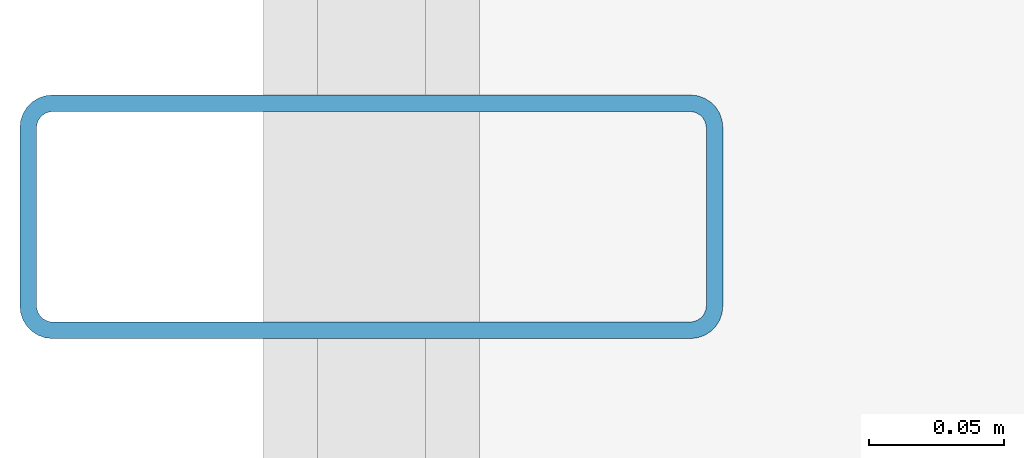
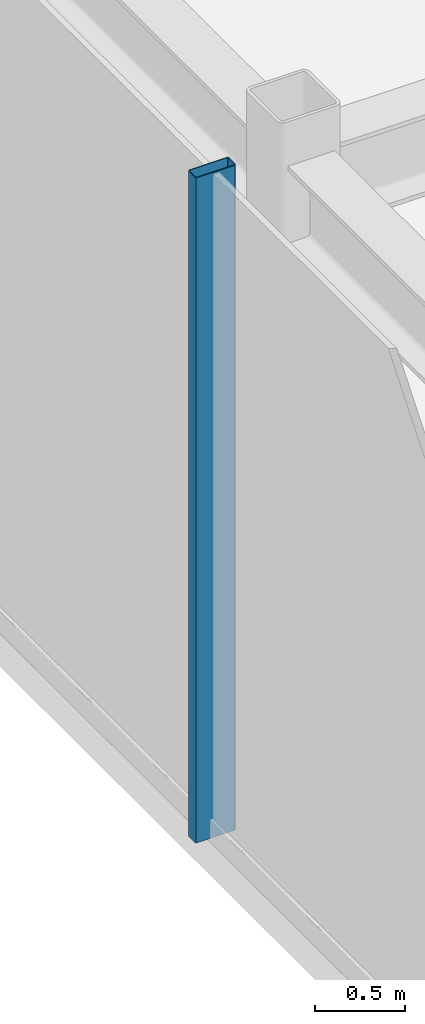
# One storey, part 4 of 17: 1 member, 1 element without a shape of its own.
"""IFC4 building model written with IfcOpenShell, lengths in metres."""

import ifcopenshell
import ifcopenshell.guid

model = None  # the IFC model being written
_history = None  # IfcOwnerHistory: only IFC2X3 demands one
_inside = {}  # id of a spatial element -> (the spatial element, [elements in it])
_under = {}  # id of a project, library or spatial element -> (it, [spatial elements below it])
_declared = {}  # id of a project -> (the project, [libraries it declares])
_typed = {}  # id of a type object -> (the type object, [elements of that type])
_made_of = {}  # id of a material, layer set ... -> (it, [elements and type objects made of it])


def new_model(schema):
    """Start an empty IFC model of exactly this schema.

    Asked for "IFC4X3", IfcOpenShell would pick the latest addendum, in which some entities
    have other attributes; the version numbers below select the first issue.
    IFC2X3 requires an IfcOwnerHistory on every rooted entity: one is made here for all.
    """
    global model, _history
    if schema == "IFC4X3":
        model = ifcopenshell.file(schema_version=(4, 3, 0, 0))
    else:
        model = ifcopenshell.file(schema=schema)
    _inside.clear()
    _under.clear()
    _declared.clear()
    _typed.clear()
    _made_of.clear()
    _history = None
    if model.schema == "IFC2X3":
        org = make("IfcOrganization", Name="unknown")
        user = make(
            "IfcPersonAndOrganization",
            ThePerson=make("IfcPerson", FamilyName="unknown"),
            TheOrganization=org,
        )
        app = make(
            "IfcApplication",
            ApplicationDeveloper=org,
            Version="unknown",
            ApplicationFullName="unknown",
            ApplicationIdentifier="unknown",
        )
        _history = make(
            "IfcOwnerHistory",
            OwningUser=user,
            OwningApplication=app,
            ChangeAction="ADDED",
            CreationDate=0,
        )
    return model


def make(cls, **values):
    """One entity of the class cls with the attributes given. An attribute that is None is left unset."""
    return model.create_entity(
        cls, **{name: value for name, value in values.items() if value is not None}
    )


def rooted(cls, **values):
    """An entity with a GlobalId (a new one), such as an element, a storey or a relation."""
    return make(cls, GlobalId=ifcopenshell.guid.new(), OwnerHistory=_history, **values)


def si_unit(unit_type, name, prefix=None):
    """IfcSIUnit, for example si_unit("LENGTHUNIT", "METRE", prefix="MILLI")."""
    return make("IfcSIUnit", UnitType=unit_type, Prefix=prefix, Name=name)


def assignment(units):
    """IfcUnitAssignment: the units of a project."""
    return None if units is None else make("IfcUnitAssignment", Units=units)


def point(xyz):
    """IfcCartesianPoint."""
    return None if xyz is None else make("IfcCartesianPoint", Coordinates=xyz)


def direction(xyz):
    """IfcDirection."""
    return None if xyz is None else make("IfcDirection", DirectionRatios=xyz)


def frame(location, z_axis=None, x_axis=None):
    """IfcAxis2Placement3D, a coordinate frame: its origin and axes. An axis left out is left unset."""
    return make(
        "IfcAxis2Placement3D",
        Location=point(location),
        Axis=direction(z_axis),
        RefDirection=direction(x_axis),
    )


def frame_2d(location, x_axis=None):
    """IfcAxis2Placement2D, a coordinate frame in the plane: its origin and x axis."""
    return make(
        "IfcAxis2Placement2D", Location=point(location), RefDirection=direction(x_axis)
    )


def origin():
    """The frame at (0, 0, 0) with its axes left unset."""
    return frame((0.0, 0.0, 0.0))


def origin_2d():
    """The frame at (0, 0) in the plane with its x axis left unset."""
    return frame_2d((0.0, 0.0))


def place(relative_to, where):
    """IfcLocalPlacement: puts the frame where relative to a parent placement (None: the world)."""
    return make(
        "IfcLocalPlacement", PlacementRelTo=relative_to, RelativePlacement=where
    )


def context(
    kind, dimensions, precision=None, world=None, true_north=None, identifier=None
):
    """IfcGeometricRepresentationContext, for example the 3D "Model" context."""
    return make(
        "IfcGeometricRepresentationContext",
        ContextIdentifier=identifier,
        ContextType=kind,
        CoordinateSpaceDimension=dimensions,
        Precision=precision,
        WorldCoordinateSystem=world,
        TrueNorth=true_north,
    )


def subcontext(parent, identifier, kind, view, scale=None):
    """IfcGeometricRepresentationSubContext, for example "Body" below "Model"."""
    return make(
        "IfcGeometricRepresentationSubContext",
        ContextIdentifier=identifier,
        ContextType=kind,
        ParentContext=parent,
        TargetScale=scale,
        TargetView=view,
    )


def project(units=None, contexts=None):
    """IfcProject with its units and contexts."""
    return rooted(
        "IfcProject",
        Name="project",
        RepresentationContexts=contexts,
        UnitsInContext=assignment(units),
    )


def spatial(cls, under=None, at=None, **own):
    """A site, building, storey or space (cls), placed at a placement, below another one or the project."""
    s = rooted(cls, ObjectPlacement=at, **own)
    if under is not None:
        _under.setdefault(under.id(), (under, []))[1].append(s)
    return s


def profile(cls, at=None, kind="AREA", **sizes):
    """A parametric profile (cls). Its sizes go by their IFC names, for example OverallWidth=200.0."""
    return make(cls, ProfileType=kind, Position=at, **sizes)


def hollow_rectangle(**sizes):
    """IfcRectangleHollowProfileDef."""
    return profile("IfcRectangleHollowProfileDef", **sizes)


def extrude(swept, where, along, depth):
    """IfcExtrudedAreaSolid: the profile swept, set in the frame where, extruded along a direction by depth."""
    return make(
        "IfcExtrudedAreaSolid",
        SweptArea=swept,
        Position=where,
        ExtrudedDirection=direction(along),
        Depth=depth,
    )


def shape(context_of_items, identifier, shape_type, items):
    """IfcShapeRepresentation: the items that make up one representation, for example the "Body"."""
    return make(
        "IfcShapeRepresentation",
        ContextOfItems=context_of_items,
        RepresentationIdentifier=identifier,
        RepresentationType=shape_type,
        Items=items,
    )


def source(mapping_origin, context_of_items, identifier, shape_type, items):
    """IfcRepresentationMap: a shape defined once, which mapped items show again and again."""
    return make(
        "IfcRepresentationMap",
        MappingOrigin=mapping_origin,
        MappedRepresentation=shape(context_of_items, identifier, shape_type, items),
    )


def transform(
    local_origin,
    x_axis=None,
    y_axis=None,
    z_axis=None,
    scale=None,
    scale2=None,
    scale3=None,
    uniform=True,
):
    """IfcCartesianTransformationOperator3D, or its non-uniform kind. x_axis, y_axis, z_axis: its Axis1, 2, 3."""
    if uniform:
        return make(
            "IfcCartesianTransformationOperator3D",
            Axis1=direction(x_axis),
            Axis2=direction(y_axis),
            LocalOrigin=point(local_origin),
            Scale=scale,
            Axis3=direction(z_axis),
        )
    return make(
        "IfcCartesianTransformationOperator3DnonUniform",
        Axis1=direction(x_axis),
        Axis2=direction(y_axis),
        LocalOrigin=point(local_origin),
        Scale=scale,
        Axis3=direction(z_axis),
        Scale2=scale2,
        Scale3=scale3,
    )


def mapped(mapping_source, mapping_target):
    """IfcMappedItem: shows the shape of a source again, moved by a transform."""
    return make(
        "IfcMappedItem", MappingSource=mapping_source, MappingTarget=mapping_target
    )


def material(Name=None, Category=None):
    """IfcMaterial."""
    return make("IfcMaterial", Name=Name, Category=Category)


def layer(
    of_material, thickness, ventilated=None, Name=None, Category=None, Priority=None
):
    """IfcMaterialLayer: one layer of a wall or slab, of a material (None: an air gap)."""
    return make(
        "IfcMaterialLayer",
        Material=of_material,
        LayerThickness=thickness,
        IsVentilated=ventilated,
        Name=Name,
        Category=Category,
        Priority=Priority,
    )


def layer_set(layers, Name=None):
    """IfcMaterialLayerSet."""
    return make("IfcMaterialLayerSet", MaterialLayers=layers, LayerSetName=Name)


def material_profile(
    of_material, cross_section, Name=None, Category=None, Priority=None
):
    """IfcMaterialProfile: a cross section and its material."""
    return make(
        "IfcMaterialProfile",
        Name=Name,
        Material=of_material,
        Profile=cross_section,
        Priority=Priority,
        Category=Category,
    )


def profile_set(profiles, Name=None, composite=None):
    """IfcMaterialProfileSet."""
    return make(
        "IfcMaterialProfileSet",
        Name=Name,
        MaterialProfiles=profiles,
        CompositeProfile=composite,
    )


def made_of(thing, what):
    """Note that an element or type object is made of a material, layer set ...; save() writes the relation."""
    if what is not None:
        _made_of.setdefault(what.id(), (what, []))[1].append(thing)
    return thing


def type_object(cls, material=None, **own):
    """A type object (cls), such as IfcWallType, which elements share."""
    return made_of(rooted(cls, **own), material)


def element(
    cls,
    number,
    at=None,
    inside=None,
    cuts=None,
    type_object=None,
    material=None,
    context=None,
    identifier="Body",
    shape_type=None,
    held_by="IfcProductDefinitionShape",
    body=None,
    shapes=None,
    **own,
):
    """One element of the class cls, such as IfcWall. Its Tag is "e" and its number.

    at: its placement. inside: the storey or other place that contains it. cuts: it is an
    opening in that element (IfcRelVoidsElement). A single representation is given by context,
    identifier, shape_type and body (its items); several are given by shapes. held_by: the class
    of the entity that holds the representations. save() writes the other relations.
    """
    e = rooted(cls, Tag="e%d" % number, ObjectPlacement=at, **own)
    if body is not None:
        shapes = [shape(context, identifier, shape_type, body)]
    if shapes is not None:
        e.Representation = make(held_by, Representations=shapes)
    if inside is not None:
        _inside.setdefault(inside.id(), (inside, []))[1].append(e)
    if cuts is not None:
        rooted(
            "IfcRelVoidsElement", RelatingBuildingElement=cuts, RelatedOpeningElement=e
        )
    if type_object is not None:
        _typed.setdefault(type_object.id(), (type_object, []))[1].append(e)
    return made_of(e, material)


def aggregate(whole, parts):
    """IfcRelAggregates: a whole, such as a stair, and the parts it consists of."""
    return rooted("IfcRelAggregates", RelatingObject=whole, RelatedObjects=parts)


def save(model, path):
    """Write the relations noted so far, then the file.

    IfcRelAggregates (storeys below a building ...), IfcRelContainedInSpatialStructure (elements
    in a storey), IfcRelDefinesByType, IfcRelAssociatesMaterial and IfcRelDeclares: one each for
    every whole, place, type object, material and project.
    """
    for whole, parts in _under.values():
        aggregate(whole, parts)
    for where, things in _inside.values():
        rooted(
            "IfcRelContainedInSpatialStructure",
            RelatedElements=things,
            RelatingStructure=where,
        )
    for kind, things in _typed.values():
        rooted("IfcRelDefinesByType", RelatedObjects=things, RelatingType=kind)
    for what, things in _made_of.values():
        rooted("IfcRelAssociatesMaterial", RelatedObjects=things, RelatingMaterial=what)
    for by, libraries in _declared.values():
        rooted("IfcRelDeclares", RelatingContext=by, RelatedDefinitions=libraries)
    model.write(path)


model = new_model("IFC4")

# Units and contexts
model_context = context("Model", 3, precision=1e-05, world=origin(), true_north=direction((0.0, 1.0)))
body_context = subcontext(model_context, "Body", "Model", "MODEL_VIEW")
ifc_project = project(units=[si_unit("LENGTHUNIT", "METRE"), si_unit("AREAUNIT", "SQUARE_METRE"), si_unit("VOLUMEUNIT", "CUBIC_METRE"), si_unit("PLANEANGLEUNIT", "RADIAN"), si_unit("MASSUNIT", "GRAM", prefix="KILO")], contexts=[model_context])

# Site, building, storey
site_placement = place(None, origin())
site = spatial("IfcSite", under=ifc_project, at=site_placement, CompositionType="ELEMENT")
building_placement = place(site_placement, origin())
building = spatial("IfcBuilding", under=site, at=building_placement, Name="Nefas-Gora Pilgrimage Tower", CompositionType="ELEMENT")
storey_placement = place(building_placement, frame((0.0, 0.0, 349.0)))
storey = spatial("IfcBuildingStorey", under=building, at=storey_placement, Name="L88", CompositionType="ELEMENT", Elevation=349.0)

# Curtain wall, member
ifc_material_1 = material(Name="Dark ceramic-fritted solar-control aluminium-glass curtain wall", Category="aluminium")
ifc_layer = layer(ifc_material_1, 0.219970703125)
ifc_layer_set = layer_set([ifc_layer], Name="Dark ceramic-fritted solar-control aluminium-glass curtain wall")
curtain_wall_type = type_object("IfcCurtainWallType", Name="CW-SYS-6", PredefinedType="NOTDEFINED", material=ifc_layer_set)
curtain_wall_placement = place(storey_placement, origin())
curtain_wall = element("IfcCurtainWall", 1, at=curtain_wall_placement, inside=storey, type_object=curtain_wall_type, Name="L88 Unitised Curtain Wall CW6", PredefinedType="NOTDEFINED")
ifc_material_2 = material(Name="Anodised architectural aluminium", Category="aluminium")
ifc_material_profile = material_profile(ifc_material_2, hollow_rectangle(XDim=0.090087890625, YDim=0.260009765625, WallThickness=0.006103515625, InnerFilletRadius=0.006103515625, OuterFilletRadius=0.011962890625, at=origin_2d()), Name="ALU MULLION 90x260")
ifc_profile_set = profile_set([ifc_material_profile], Name="Anodised architectural aluminium")
member_type = type_object("IfcMemberType", Name="CWM-MUL-6", PredefinedType="MULLION", material=ifc_profile_set)
shared_shape = source(origin(), body_context, "Body", "SweptSolid", [
    extrude(hollow_rectangle(XDim=0.090087890625, YDim=0.260009765625, WallThickness=0.006103515625, InnerFilletRadius=0.006103515625, OuterFilletRadius=0.011962890625, at=origin_2d()), origin(), (0.0, 0.0, 1.0), 4.5),
])
member_placement = place(storey_placement, frame((-25.27001953125, 0.0, 0.0), z_axis=(0.0, 0.0, 1.0), x_axis=(0.0, -1.0, 0.0)))
member = element("IfcMember", 2, at=member_placement, type_object=member_type, Name="CW6 Mullion 2", PredefinedType="MULLION", context=body_context, shape_type="MappedRepresentation", body=[
    mapped(shared_shape, transform((0.0, 0.0, 0.0), x_axis=(1.0, 0.0, 0.0), y_axis=(0.0, 1.0, 0.0), z_axis=(0.0, 0.0, 1.0), scale=1.0)),
])
aggregate(curtain_wall, [member])

save(model, "model.ifc")
